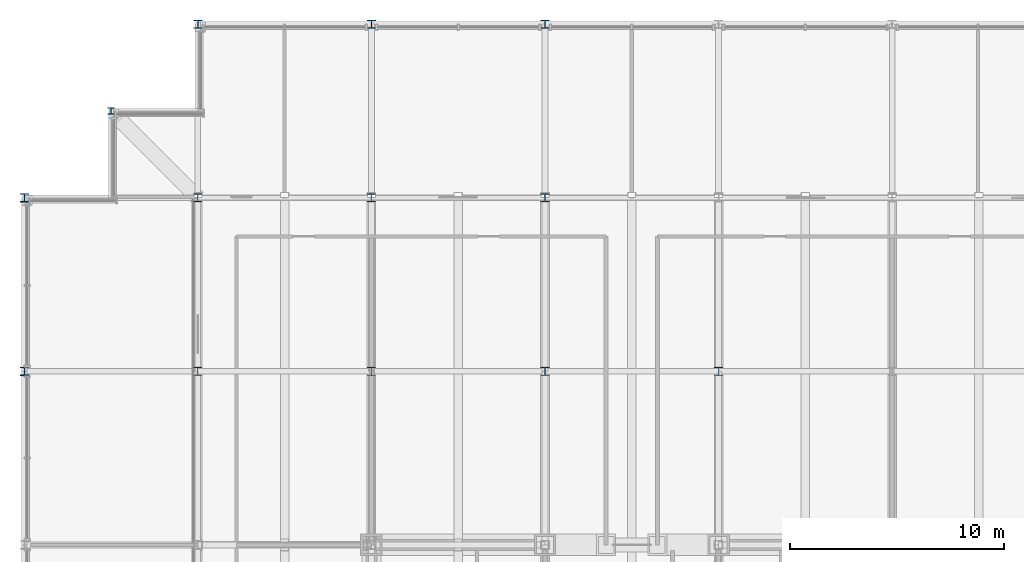
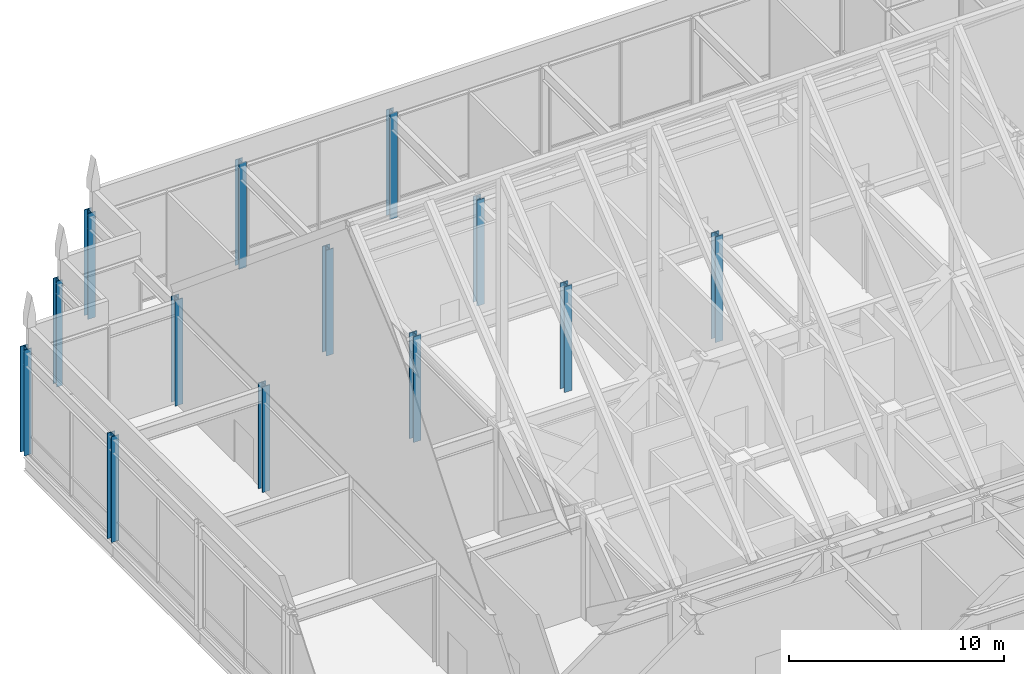
# One storey, part 3 of 22: 13 columns.
"""IFC4 building model written with IfcOpenShell, lengths in metres."""

from ifc_helpers import new_model, si_unit, direction, frame, origin, origin_2d, place, context, subcontext, project, spatial, i_section, extrude, material, material_profile, profile_set, type_object, element, save


model = new_model("IFC4")

# Units and contexts
model_context = context("Model", 3, precision=1e-05, world=origin(), true_north=direction((0.0, 1.0)))
body_context = subcontext(model_context, "Body", "Model", "MODEL_VIEW")
ifc_project = project(units=[si_unit("LENGTHUNIT", "METRE"), si_unit("AREAUNIT", "SQUARE_METRE"), si_unit("VOLUMEUNIT", "CUBIC_METRE"), si_unit("PLANEANGLEUNIT", "RADIAN"), si_unit("MASSUNIT", "GRAM", prefix="KILO")], contexts=[model_context])

# Site, building, storey
site_placement = place(None, origin())
site = spatial("IfcSite", under=ifc_project, at=site_placement, CompositionType="ELEMENT")
building_placement = place(site_placement, origin())
building = spatial("IfcBuilding", under=site, at=building_placement, Name="Kopane Lantern Tower", CompositionType="ELEMENT")
storey_placement = place(building_placement, frame((0.0, 0.0, 303.89990234375)))
storey = spatial("IfcBuildingStorey", under=building, at=storey_placement, Name="L77", CompositionType="ELEMENT", Elevation=303.89990234375)

# Columns
ifc_material_1 = material(Name="Steel S355JR", Category="steel")
ifc_material_profile_1 = material_profile(ifc_material_1, i_section(OverallWidth=0.307373046875, OverallDepth=0.314453125, WebThickness=0.011962890625, FlangeThickness=0.018798828125, FilletRadius=0.01513671875, at=origin_2d()), Name="UC 305x305x118")
ifc_profile_set_1 = profile_set([ifc_material_profile_1], Name="Steel S355JR")
column_type_1 = type_object("IfcColumnType", Name="COLUMN UC 305x305x118", PredefinedType="COLUMN", material=ifc_profile_set_1)
column_placement = place(storey_placement, frame((4.050048828125, 60.75, 0.0), z_axis=(0.0, 0.0, 1.0), x_axis=(1.0, 0.0, 0.0)))
element("IfcColumn", 1, at=column_placement, inside=storey, type_object=column_type_1, Name="Column 4.05/60.75 L77", PredefinedType="COLUMN", context=body_context, shape_type="SweptSolid", body=[
    extrude(i_section(OverallWidth=0.307373046875, OverallDepth=0.314453125, WebThickness=0.011962890625, FlangeThickness=0.018798828125, FilletRadius=0.01513671875, at=origin_2d()), origin(), (0.0, 0.0, 1.0), 6.0),
])
ifc_material_2 = material(Name="Steel S355JR", Category="steel")
ifc_material_profile_2 = material_profile(ifc_material_2, i_section(OverallWidth=0.39892578125, OverallDepth=0.3935546875, WebThickness=0.022705078125, FlangeThickness=0.03662109375, FilletRadius=0.01513671875, at=origin_2d()), Name="UC 356x406x287")
ifc_profile_set_2 = profile_set([ifc_material_profile_2], Name="Steel S355JR")
column_type_2 = type_object("IfcColumnType", Name="COLUMN UC 356x406x287", PredefinedType="COLUMN", material=ifc_profile_set_2)
for number, where, z_axis, x_axis, name in (
    (2, (0.0, 48.60009765625, 0.0), (0.0, 0.0, 1.0), (1.0, 0.0, 0.0), "Column 2/H L77"),
    (3, (0.0, 56.699951171875, 0.0), (0.0, 0.0, 1.0), (1.0, 0.0, 0.0), "Column 2/J L77"),
    (4, (8.10009765625, 64.800048828125, 0.0), (0.0, 0.0, 1.0), (1.0, 0.0, 0.0), "Column 3/K L77"),
    (5, (16.199951171875, 64.800048828125, 0.0), (0.0, 0.0, 1.0), (1.0, 0.0, 0.0), "Column 4/K L77"),
    (6, (24.300048828125, 64.800048828125, 0.0), (0.0, 0.0, 1.0), (1.0, 0.0, 0.0), "Column 5/K L77"),
):
    element("IfcColumn", number, at=place(storey_placement, frame(where, z_axis=z_axis, x_axis=x_axis)), inside=storey, type_object=column_type_2, Name=name, PredefinedType="COLUMN", context=body_context, shape_type="SweptSolid", body=[
        extrude(i_section(OverallWidth=0.39892578125, OverallDepth=0.3935546875, WebThickness=0.022705078125, FlangeThickness=0.03662109375, FilletRadius=0.01513671875, at=origin_2d()), origin(), (0.0, 0.0, 1.0), 6.0),
    ])
ifc_material_3 = material(Name="Steel S355JR", Category="steel")
ifc_material_profile_3 = material_profile(ifc_material_3, i_section(OverallWidth=0.403076171875, OverallDepth=0.406494140625, WebThickness=0.026611328125, FlangeThickness=0.04296875, FilletRadius=0.01513671875, at=origin_2d()), Name="UC 356x406x340")
ifc_profile_set_3 = profile_set([ifc_material_profile_3], Name="Steel S355JR")
column_type_3 = type_object("IfcColumnType", Name="COLUMN UC 356x406x340", PredefinedType="COLUMN", material=ifc_profile_set_3)
for number, where, z_axis, x_axis, name in (
    (7, (8.10009765625, 48.60009765625, 0.0), (0.0, 0.0, 1.0), (1.0, 0.0, 0.0), "Column 3/H L77"),
    (8, (8.10009765625, 56.699951171875, 0.0), (0.0, 0.0, 1.0), (1.0, 0.0, 0.0), "Column 3/J L77"),
    (9, (16.199951171875, 48.60009765625, 0.0), (0.0, 0.0, 1.0), (1.0, 0.0, 0.0), "Column 4/H L77"),
    (10, (16.199951171875, 56.699951171875, 0.0), (0.0, 0.0, 1.0), (1.0, 0.0, 0.0), "Column 4/J L77"),
    (11, (24.300048828125, 48.60009765625, 0.0), (0.0, 0.0, 1.0), (1.0, 0.0, 0.0), "Column 5/H L77"),
    (12, (24.300048828125, 56.699951171875, 0.0), (0.0, 0.0, 1.0), (1.0, 0.0, 0.0), "Column 5/J L77"),
    (13, (32.39990234375, 48.60009765625, 0.0), (0.0, 0.0, 1.0), (1.0, 0.0, 0.0), "Column 6/H L77"),
):
    element("IfcColumn", number, at=place(storey_placement, frame(where, z_axis=z_axis, x_axis=x_axis)), inside=storey, type_object=column_type_3, Name=name, PredefinedType="COLUMN", context=body_context, shape_type="SweptSolid", body=[
        extrude(i_section(OverallWidth=0.403076171875, OverallDepth=0.406494140625, WebThickness=0.026611328125, FlangeThickness=0.04296875, FilletRadius=0.01513671875, at=origin_2d()), origin(), (0.0, 0.0, 1.0), 6.0),
    ])

save(model, "model.ifc")
